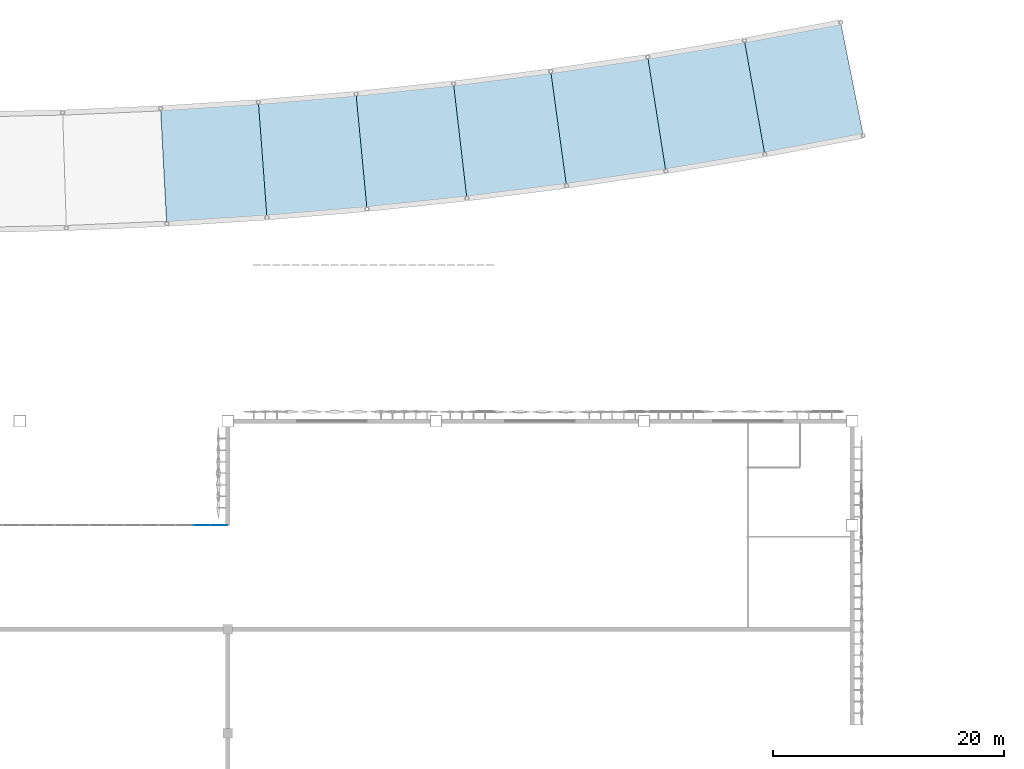
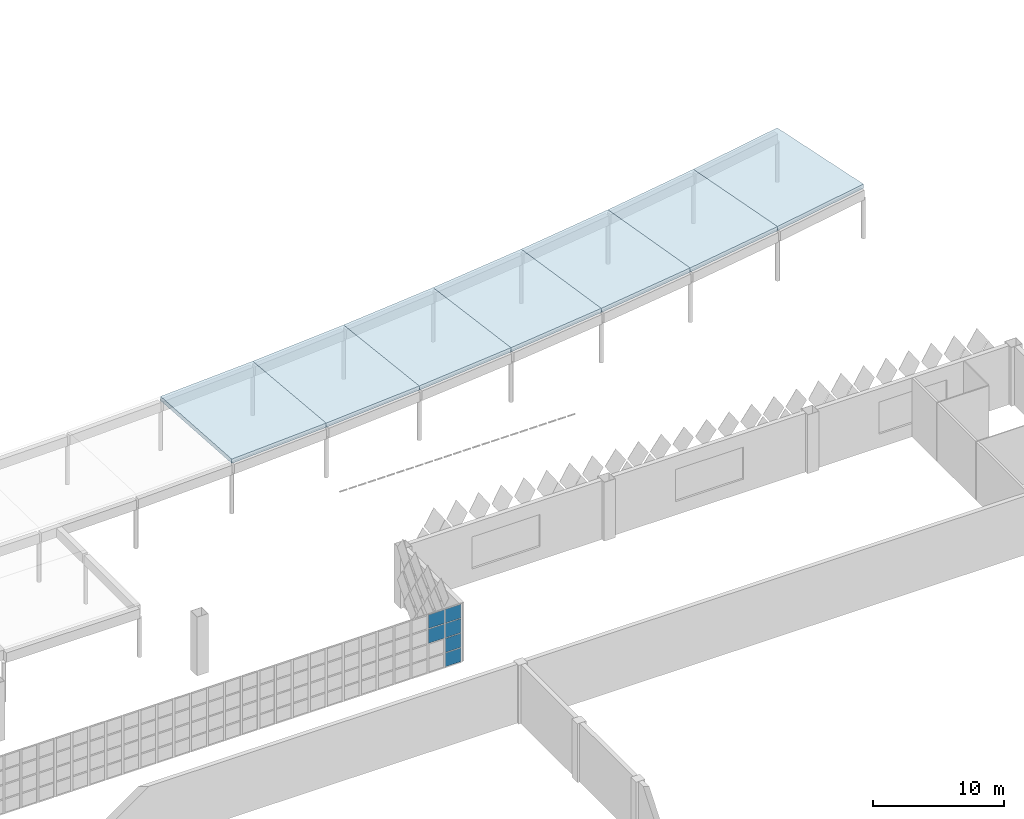
# One storey, part 93 of 185: 7 slabs, 6 plates, 1 element without a shape of its own.
"""IFC4 building model written with IfcOpenShell, lengths in metres."""

import ifcopenshell
import ifcopenshell.guid

model = None  # the IFC model being written
_history = None  # IfcOwnerHistory: only IFC2X3 demands one
_inside = {}  # id of a spatial element -> (the spatial element, [elements in it])
_under = {}  # id of a project, library or spatial element -> (it, [spatial elements below it])
_declared = {}  # id of a project -> (the project, [libraries it declares])
_typed = {}  # id of a type object -> (the type object, [elements of that type])
_made_of = {}  # id of a material, layer set ... -> (it, [elements and type objects made of it])


def new_model(schema):
    """Start an empty IFC model of exactly this schema.

    Asked for "IFC4X3", IfcOpenShell would pick the latest addendum, in which some entities
    have other attributes; the version numbers below select the first issue.
    IFC2X3 requires an IfcOwnerHistory on every rooted entity: one is made here for all.
    """
    global model, _history
    if schema == "IFC4X3":
        model = ifcopenshell.file(schema_version=(4, 3, 0, 0))
    else:
        model = ifcopenshell.file(schema=schema)
    _inside.clear()
    _under.clear()
    _declared.clear()
    _typed.clear()
    _made_of.clear()
    _history = None
    if model.schema == "IFC2X3":
        org = make("IfcOrganization", Name="unknown")
        user = make(
            "IfcPersonAndOrganization",
            ThePerson=make("IfcPerson", FamilyName="unknown"),
            TheOrganization=org,
        )
        app = make(
            "IfcApplication",
            ApplicationDeveloper=org,
            Version="unknown",
            ApplicationFullName="unknown",
            ApplicationIdentifier="unknown",
        )
        _history = make(
            "IfcOwnerHistory",
            OwningUser=user,
            OwningApplication=app,
            ChangeAction="ADDED",
            CreationDate=0,
        )
    return model


def make(cls, **values):
    """One entity of the class cls with the attributes given. An attribute that is None is left unset."""
    return model.create_entity(
        cls, **{name: value for name, value in values.items() if value is not None}
    )


def rooted(cls, **values):
    """An entity with a GlobalId (a new one), such as an element, a storey or a relation."""
    return make(cls, GlobalId=ifcopenshell.guid.new(), OwnerHistory=_history, **values)


def si_unit(unit_type, name, prefix=None):
    """IfcSIUnit, for example si_unit("LENGTHUNIT", "METRE", prefix="MILLI")."""
    return make("IfcSIUnit", UnitType=unit_type, Prefix=prefix, Name=name)


def assignment(units):
    """IfcUnitAssignment: the units of a project."""
    return None if units is None else make("IfcUnitAssignment", Units=units)


def point(xyz):
    """IfcCartesianPoint."""
    return None if xyz is None else make("IfcCartesianPoint", Coordinates=xyz)


def direction(xyz):
    """IfcDirection."""
    return None if xyz is None else make("IfcDirection", DirectionRatios=xyz)


def frame(location, z_axis=None, x_axis=None):
    """IfcAxis2Placement3D, a coordinate frame: its origin and axes. An axis left out is left unset."""
    return make(
        "IfcAxis2Placement3D",
        Location=point(location),
        Axis=direction(z_axis),
        RefDirection=direction(x_axis),
    )


def frame_2d(location, x_axis=None):
    """IfcAxis2Placement2D, a coordinate frame in the plane: its origin and x axis."""
    return make(
        "IfcAxis2Placement2D", Location=point(location), RefDirection=direction(x_axis)
    )


def origin():
    """The frame at (0, 0, 0) with its axes left unset."""
    return frame((0.0, 0.0, 0.0))


def origin_2d():
    """The frame at (0, 0) in the plane with its x axis left unset."""
    return frame_2d((0.0, 0.0))


def place(relative_to, where):
    """IfcLocalPlacement: puts the frame where relative to a parent placement (None: the world)."""
    return make(
        "IfcLocalPlacement", PlacementRelTo=relative_to, RelativePlacement=where
    )


def context(
    kind, dimensions, precision=None, world=None, true_north=None, identifier=None
):
    """IfcGeometricRepresentationContext, for example the 3D "Model" context."""
    return make(
        "IfcGeometricRepresentationContext",
        ContextIdentifier=identifier,
        ContextType=kind,
        CoordinateSpaceDimension=dimensions,
        Precision=precision,
        WorldCoordinateSystem=world,
        TrueNorth=true_north,
    )


def subcontext(parent, identifier, kind, view, scale=None):
    """IfcGeometricRepresentationSubContext, for example "Body" below "Model"."""
    return make(
        "IfcGeometricRepresentationSubContext",
        ContextIdentifier=identifier,
        ContextType=kind,
        ParentContext=parent,
        TargetScale=scale,
        TargetView=view,
    )


def project(units=None, contexts=None):
    """IfcProject with its units and contexts."""
    return rooted(
        "IfcProject",
        Name="project",
        RepresentationContexts=contexts,
        UnitsInContext=assignment(units),
    )


def spatial(cls, under=None, at=None, **own):
    """A site, building, storey or space (cls), placed at a placement, below another one or the project."""
    s = rooted(cls, ObjectPlacement=at, **own)
    if under is not None:
        _under.setdefault(under.id(), (under, []))[1].append(s)
    return s


def polyline(points):
    """IfcPolyline through the points."""
    return make("IfcPolyline", Points=[point(p) for p in points])


def profile(cls, at=None, kind="AREA", **sizes):
    """A parametric profile (cls). Its sizes go by their IFC names, for example OverallWidth=200.0."""
    return make(cls, ProfileType=kind, Position=at, **sizes)


def rectangle(**sizes):
    """IfcRectangleProfileDef."""
    return profile("IfcRectangleProfileDef", **sizes)


def outline(outer, holes=None, kind="AREA"):
    """IfcArbitraryClosedProfileDef: a profile drawn as a closed curve; with holes, ...WithVoids."""
    if holes is None:
        return make("IfcArbitraryClosedProfileDef", ProfileType=kind, OuterCurve=outer)
    return make(
        "IfcArbitraryProfileDefWithVoids",
        ProfileType=kind,
        OuterCurve=outer,
        InnerCurves=holes,
    )


def extrude(swept, where, along, depth):
    """IfcExtrudedAreaSolid: the profile swept, set in the frame where, extruded along a direction by depth."""
    return make(
        "IfcExtrudedAreaSolid",
        SweptArea=swept,
        Position=where,
        ExtrudedDirection=direction(along),
        Depth=depth,
    )


def shape(context_of_items, identifier, shape_type, items):
    """IfcShapeRepresentation: the items that make up one representation, for example the "Body"."""
    return make(
        "IfcShapeRepresentation",
        ContextOfItems=context_of_items,
        RepresentationIdentifier=identifier,
        RepresentationType=shape_type,
        Items=items,
    )


def material(Name=None, Category=None):
    """IfcMaterial."""
    return make("IfcMaterial", Name=Name, Category=Category)


def layer(
    of_material, thickness, ventilated=None, Name=None, Category=None, Priority=None
):
    """IfcMaterialLayer: one layer of a wall or slab, of a material (None: an air gap)."""
    return make(
        "IfcMaterialLayer",
        Material=of_material,
        LayerThickness=thickness,
        IsVentilated=ventilated,
        Name=Name,
        Category=Category,
        Priority=Priority,
    )


def layer_set(layers, Name=None):
    """IfcMaterialLayerSet."""
    return make("IfcMaterialLayerSet", MaterialLayers=layers, LayerSetName=Name)


def made_of(thing, what):
    """Note that an element or type object is made of a material, layer set ...; save() writes the relation."""
    if what is not None:
        _made_of.setdefault(what.id(), (what, []))[1].append(thing)
    return thing


def type_object(cls, material=None, **own):
    """A type object (cls), such as IfcWallType, which elements share."""
    return made_of(rooted(cls, **own), material)


def element(
    cls,
    number,
    at=None,
    inside=None,
    cuts=None,
    type_object=None,
    material=None,
    context=None,
    identifier="Body",
    shape_type=None,
    held_by="IfcProductDefinitionShape",
    body=None,
    shapes=None,
    **own,
):
    """One element of the class cls, such as IfcWall. Its Tag is "e" and its number.

    at: its placement. inside: the storey or other place that contains it. cuts: it is an
    opening in that element (IfcRelVoidsElement). A single representation is given by context,
    identifier, shape_type and body (its items); several are given by shapes. held_by: the class
    of the entity that holds the representations. save() writes the other relations.
    """
    e = rooted(cls, Tag="e%d" % number, ObjectPlacement=at, **own)
    if body is not None:
        shapes = [shape(context, identifier, shape_type, body)]
    if shapes is not None:
        e.Representation = make(held_by, Representations=shapes)
    if inside is not None:
        _inside.setdefault(inside.id(), (inside, []))[1].append(e)
    if cuts is not None:
        rooted(
            "IfcRelVoidsElement", RelatingBuildingElement=cuts, RelatedOpeningElement=e
        )
    if type_object is not None:
        _typed.setdefault(type_object.id(), (type_object, []))[1].append(e)
    return made_of(e, material)


def aggregate(whole, parts):
    """IfcRelAggregates: a whole, such as a stair, and the parts it consists of."""
    return rooted("IfcRelAggregates", RelatingObject=whole, RelatedObjects=parts)


def save(model, path):
    """Write the relations noted so far, then the file.

    IfcRelAggregates (storeys below a building ...), IfcRelContainedInSpatialStructure (elements
    in a storey), IfcRelDefinesByType, IfcRelAssociatesMaterial and IfcRelDeclares: one each for
    every whole, place, type object, material and project.
    """
    for whole, parts in _under.values():
        aggregate(whole, parts)
    for where, things in _inside.values():
        rooted(
            "IfcRelContainedInSpatialStructure",
            RelatedElements=things,
            RelatingStructure=where,
        )
    for kind, things in _typed.values():
        rooted("IfcRelDefinesByType", RelatedObjects=things, RelatingType=kind)
    for what, things in _made_of.values():
        rooted("IfcRelAssociatesMaterial", RelatedObjects=things, RelatingMaterial=what)
    for by, libraries in _declared.values():
        rooted("IfcRelDeclares", RelatingContext=by, RelatedDefinitions=libraries)
    model.write(path)


model = new_model("IFC4")

# Units and contexts
model_context = context("Model", 3, precision=1e-05, world=origin(), true_north=direction((0.0, 1.0)))
body_context = subcontext(model_context, "Body", "Model", "MODEL_VIEW")
ifc_project = project(units=[si_unit("LENGTHUNIT", "METRE"), si_unit("AREAUNIT", "SQUARE_METRE"), si_unit("VOLUMEUNIT", "CUBIC_METRE"), si_unit("PLANEANGLEUNIT", "RADIAN"), si_unit("MASSUNIT", "GRAM", prefix="KILO")], contexts=[model_context])

# Site, building, storey
site_placement = place(None, origin())
site = spatial("IfcSite", under=ifc_project, at=site_placement, CompositionType="ELEMENT")
building_placement = place(site_placement, origin())
building = spatial("IfcBuilding", under=site, at=building_placement, Name="Opaline Strait Convention Centre", CompositionType="ELEMENT")
storey_placement = place(building_placement, frame((0.0, 0.0, 6.0)))
storey = spatial("IfcBuildingStorey", under=building, at=storey_placement, Name="L01", CompositionType="ELEMENT", Elevation=6.0)

# Slabs
ifc_material_1 = material(Name="Concrete C40", Category="concrete")
ifc_layer_1 = layer(ifc_material_1, 0.39990234375)
ifc_layer_set_1 = layer_set([ifc_layer_1], Name="Concrete C40")
slab_type = type_object("IfcSlabType", Name="Arcade roof plate 400 C40", PredefinedType="ROOF", material=ifc_layer_set_1)
slab_1_placement = place(storey_placement, frame((0.0, 0.0, 4.60009765625)))
element("IfcSlab", 1, at=slab_1_placement, inside=storey, type_object=slab_type, Name="Strait Arcade roof plate 13", PredefinedType="ROOF", context=body_context, shape_type="SweptSolid", body=[
    extrude(outline(polyline([(201.71142578125, 170.074951171875), (210.3818359375, 170.625732421875), (209.642822265625, 180.598388671875), (201.1826171875, 180.060791015625), (201.71142578125, 170.074951171875)])), origin(), (0.0, 0.0, 1.0), 0.39990234375),
])
slab_2_placement = place(storey_placement, frame((0.0, 0.0, 4.60009765625)))
element("IfcSlab", 2, at=slab_2_placement, inside=storey, type_object=slab_type, Name="Strait Arcade roof plate 14", PredefinedType="ROOF", context=body_context, shape_type="SweptSolid", body=[
    extrude(outline(polyline([(210.3818359375, 170.625732421875), (219.03857421875, 171.358642578125), (218.090576171875, 181.313720703125), (209.642822265625, 180.598388671875), (210.3818359375, 170.625732421875)])), origin(), (0.0, 0.0, 1.0), 0.39990234375),
])
slab_3_placement = place(storey_placement, frame((0.0, 0.0, 4.60009765625)))
element("IfcSlab", 3, at=slab_3_placement, inside=storey, type_object=slab_type, Name="Strait Arcade roof plate 15", PredefinedType="ROOF", context=body_context, shape_type="SweptSolid", body=[
    extrude(outline(polyline([(219.03857421875, 171.358642578125), (227.67724609375, 172.272216796875), (226.52197265625, 182.205078125), (218.090576171875, 181.313720703125), (219.03857421875, 171.358642578125)])), origin(), (0.0, 0.0, 1.0), 0.39990234375),
])
slab_4_placement = place(storey_placement, frame((0.0, 0.0, 4.60009765625)))
element("IfcSlab", 4, at=slab_4_placement, inside=storey, type_object=slab_type, Name="Strait Arcade roof plate 16", PredefinedType="ROOF", context=body_context, shape_type="SweptSolid", body=[
    extrude(outline(polyline([(227.67724609375, 172.272216796875), (236.294189453125, 173.364990234375), (234.933837890625, 183.27197265625), (226.52197265625, 182.205078125), (227.67724609375, 172.272216796875)])), origin(), (0.0, 0.0, 1.0), 0.39990234375),
])
slab_5_placement = place(storey_placement, frame((0.0, 0.0, 4.60009765625)))
element("IfcSlab", 5, at=slab_5_placement, inside=storey, type_object=slab_type, Name="Strait Arcade roof plate 17", PredefinedType="ROOF", context=body_context, shape_type="SweptSolid", body=[
    extrude(outline(polyline([(236.294189453125, 173.364990234375), (244.88623046875, 174.634765625), (243.32275390625, 184.51171875), (234.933837890625, 183.27197265625), (236.294189453125, 173.364990234375)])), origin(), (0.0, 0.0, 1.0), 0.39990234375),
])
slab_6_placement = place(storey_placement, frame((0.0, 0.0, 4.60009765625)))
element("IfcSlab", 6, at=slab_6_placement, inside=storey, type_object=slab_type, Name="Strait Arcade roof plate 18", PredefinedType="ROOF", context=body_context, shape_type="SweptSolid", body=[
    extrude(outline(polyline([(244.88623046875, 174.634765625), (253.449462890625, 176.07958984375), (251.685546875, 185.9228515625), (243.32275390625, 184.51171875), (244.88623046875, 174.634765625)])), origin(), (0.0, 0.0, 1.0), 0.39990234375),
])
slab_7_placement = place(storey_placement, frame((0.0, 0.0, 4.60009765625)))
element("IfcSlab", 7, at=slab_7_placement, inside=storey, type_object=slab_type, Name="Strait Arcade roof plate 19", PredefinedType="ROOF", context=body_context, shape_type="SweptSolid", body=[
    extrude(outline(polyline([(253.449462890625, 176.07958984375), (261.980712890625, 177.697021484375), (260.019287109375, 187.5029296875), (251.685546875, 185.9228515625), (253.449462890625, 176.07958984375)])), origin(), (0.0, 0.0, 1.0), 0.39990234375),
])

# Curtain wall, plates
ifc_material_2 = material(Name="Aluminium framed glazing", Category="aluminium")
ifc_layer_2 = layer(ifc_material_2, 0.199951171875)
ifc_layer_set_2 = layer_set([ifc_layer_2], Name="Aluminium framed glazing")
curtain_wall_type = type_object("IfcCurtainWallType", Name="Entrance curtain wall 1500", PredefinedType="NOTDEFINED", material=ifc_layer_set_2)
curtain_wall_placement = place(storey_placement, origin())
curtain_wall = element("IfcCurtainWall", 8, at=curtain_wall_placement, inside=storey, type_object=curtain_wall_type, Name="Entrance curtain wall L01-R3", PredefinedType="NOTDEFINED")
ifc_material_3 = material(Name="Double glazed unit low emissivity", Category="glass")
ifc_layer_3 = layer(ifc_material_3, 0.028076171875)
ifc_layer_set_3 = layer_set([ifc_layer_3], Name="Double glazed unit low emissivity")
plate_type = type_object("IfcPlateType", Name="Curtain wall glass panel 28", PredefinedType="CURTAIN_PANEL", material=ifc_layer_set_3)
plate_1_placement = place(storey_placement, frame((204.75, 144.0, 2.780029296875), z_axis=(0.0, 0.0, 1.0), x_axis=(1.0, 0.0, 0.0)))
plate_1 = element("IfcPlate", 9, at=plate_1_placement, type_object=plate_type, Name="XCW panel 11.3", PredefinedType="CURTAIN_PANEL", context=body_context, shape_type="SweptSolid", body=[
    extrude(rectangle(XDim=1.43994140625, YDim=0.028076171875, at=origin_2d()), origin(), (0.0, 0.0, 1.0), 1.31494140625),
])
plate_2_placement = place(storey_placement, frame((204.75, 144.0, 4.1552734375), z_axis=(0.0, 0.0, 1.0), x_axis=(1.0, 0.0, 0.0)))
plate_2 = element("IfcPlate", 10, at=plate_2_placement, type_object=plate_type, Name="XCW panel 11.4", PredefinedType="CURTAIN_PANEL", context=body_context, shape_type="SweptSolid", body=[
    extrude(rectangle(XDim=1.43994140625, YDim=0.028076171875, at=origin_2d()), origin(), (0.0, 0.0, 1.0), 1.284912109375),
])
plate_3_placement = place(storey_placement, frame((206.235107421875, 144.0, 0.06005859375), z_axis=(0.0, 0.0, 1.0), x_axis=(1.0, 0.0, 0.0)))
plate_3 = element("IfcPlate", 11, at=plate_3_placement, type_object=plate_type, Name="XCW panel 12.1", PredefinedType="CURTAIN_PANEL", context=body_context, shape_type="SweptSolid", body=[
    extrude(rectangle(XDim=1.409912109375, YDim=0.028076171875, at=origin_2d()), origin(), (0.0, 0.0, 1.0), 1.284912109375),
])
plate_4_placement = place(storey_placement, frame((206.235107421875, 144.0, 1.405029296875), z_axis=(0.0, 0.0, 1.0), x_axis=(1.0, 0.0, 0.0)))
plate_4 = element("IfcPlate", 12, at=plate_4_placement, type_object=plate_type, Name="XCW panel 12.2", PredefinedType="CURTAIN_PANEL", context=body_context, shape_type="SweptSolid", body=[
    extrude(rectangle(XDim=1.409912109375, YDim=0.028076171875, at=origin_2d()), origin(), (0.0, 0.0, 1.0), 1.31494140625),
])
plate_5_placement = place(storey_placement, frame((206.235107421875, 144.0, 2.780029296875), z_axis=(0.0, 0.0, 1.0), x_axis=(1.0, 0.0, 0.0)))
plate_5 = element("IfcPlate", 13, at=plate_5_placement, type_object=plate_type, Name="XCW panel 12.3", PredefinedType="CURTAIN_PANEL", context=body_context, shape_type="SweptSolid", body=[
    extrude(rectangle(XDim=1.409912109375, YDim=0.028076171875, at=origin_2d()), origin(), (0.0, 0.0, 1.0), 1.31494140625),
])
plate_6_placement = place(storey_placement, frame((206.235107421875, 144.0, 4.1552734375), z_axis=(0.0, 0.0, 1.0), x_axis=(1.0, 0.0, 0.0)))
plate_6 = element("IfcPlate", 14, at=plate_6_placement, type_object=plate_type, Name="XCW panel 12.4", PredefinedType="CURTAIN_PANEL", context=body_context, shape_type="SweptSolid", body=[
    extrude(rectangle(XDim=1.409912109375, YDim=0.028076171875, at=origin_2d()), origin(), (0.0, 0.0, 1.0), 1.284912109375),
])
aggregate(curtain_wall, [plate_1, plate_2, plate_3, plate_4, plate_5, plate_6])

save(model, "model.ifc")
